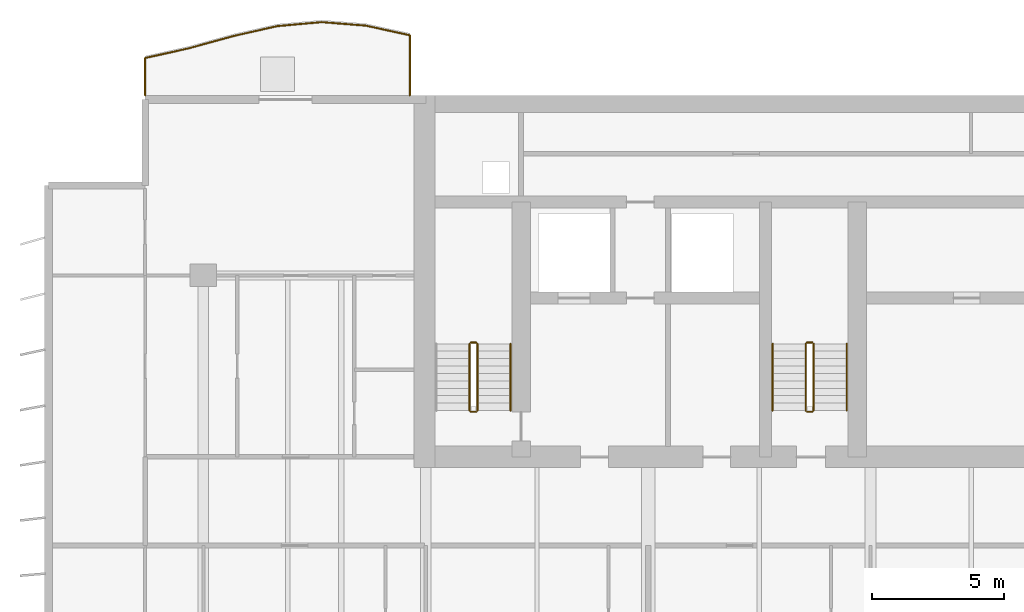
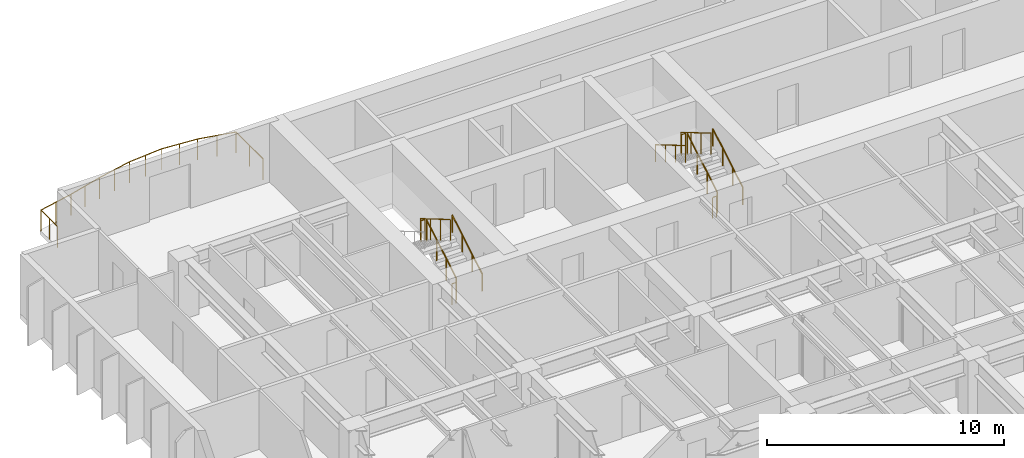
# One storey, part 17 of 19: 12 railings.
"""IFC4 building model written with IfcOpenShell, lengths in metres."""

import ifcopenshell
import ifcopenshell.guid

model = None  # the IFC model being written
_history = None  # IfcOwnerHistory: only IFC2X3 demands one
_inside = {}  # id of a spatial element -> (the spatial element, [elements in it])
_under = {}  # id of a project, library or spatial element -> (it, [spatial elements below it])
_declared = {}  # id of a project -> (the project, [libraries it declares])
_typed = {}  # id of a type object -> (the type object, [elements of that type])
_made_of = {}  # id of a material, layer set ... -> (it, [elements and type objects made of it])


def new_model(schema):
    """Start an empty IFC model of exactly this schema.

    Asked for "IFC4X3", IfcOpenShell would pick the latest addendum, in which some entities
    have other attributes; the version numbers below select the first issue.
    IFC2X3 requires an IfcOwnerHistory on every rooted entity: one is made here for all.
    """
    global model, _history
    if schema == "IFC4X3":
        model = ifcopenshell.file(schema_version=(4, 3, 0, 0))
    else:
        model = ifcopenshell.file(schema=schema)
    _inside.clear()
    _under.clear()
    _declared.clear()
    _typed.clear()
    _made_of.clear()
    _history = None
    if model.schema == "IFC2X3":
        org = make("IfcOrganization", Name="unknown")
        user = make(
            "IfcPersonAndOrganization",
            ThePerson=make("IfcPerson", FamilyName="unknown"),
            TheOrganization=org,
        )
        app = make(
            "IfcApplication",
            ApplicationDeveloper=org,
            Version="unknown",
            ApplicationFullName="unknown",
            ApplicationIdentifier="unknown",
        )
        _history = make(
            "IfcOwnerHistory",
            OwningUser=user,
            OwningApplication=app,
            ChangeAction="ADDED",
            CreationDate=0,
        )
    return model


def make(cls, **values):
    """One entity of the class cls with the attributes given. An attribute that is None is left unset."""
    return model.create_entity(
        cls, **{name: value for name, value in values.items() if value is not None}
    )


def rooted(cls, **values):
    """An entity with a GlobalId (a new one), such as an element, a storey or a relation."""
    return make(cls, GlobalId=ifcopenshell.guid.new(), OwnerHistory=_history, **values)


def si_unit(unit_type, name, prefix=None):
    """IfcSIUnit, for example si_unit("LENGTHUNIT", "METRE", prefix="MILLI")."""
    return make("IfcSIUnit", UnitType=unit_type, Prefix=prefix, Name=name)


def assignment(units):
    """IfcUnitAssignment: the units of a project."""
    return None if units is None else make("IfcUnitAssignment", Units=units)


def point(xyz):
    """IfcCartesianPoint."""
    return None if xyz is None else make("IfcCartesianPoint", Coordinates=xyz)


def direction(xyz):
    """IfcDirection."""
    return None if xyz is None else make("IfcDirection", DirectionRatios=xyz)


def frame(location, z_axis=None, x_axis=None):
    """IfcAxis2Placement3D, a coordinate frame: its origin and axes. An axis left out is left unset."""
    return make(
        "IfcAxis2Placement3D",
        Location=point(location),
        Axis=direction(z_axis),
        RefDirection=direction(x_axis),
    )


def frame_2d(location, x_axis=None):
    """IfcAxis2Placement2D, a coordinate frame in the plane: its origin and x axis."""
    return make(
        "IfcAxis2Placement2D", Location=point(location), RefDirection=direction(x_axis)
    )


def origin():
    """The frame at (0, 0, 0) with its axes left unset."""
    return frame((0.0, 0.0, 0.0))


def origin_2d():
    """The frame at (0, 0) in the plane with its x axis left unset."""
    return frame_2d((0.0, 0.0))


def place(relative_to, where):
    """IfcLocalPlacement: puts the frame where relative to a parent placement (None: the world)."""
    return make(
        "IfcLocalPlacement", PlacementRelTo=relative_to, RelativePlacement=where
    )


def context(
    kind, dimensions, precision=None, world=None, true_north=None, identifier=None
):
    """IfcGeometricRepresentationContext, for example the 3D "Model" context."""
    return make(
        "IfcGeometricRepresentationContext",
        ContextIdentifier=identifier,
        ContextType=kind,
        CoordinateSpaceDimension=dimensions,
        Precision=precision,
        WorldCoordinateSystem=world,
        TrueNorth=true_north,
    )


def subcontext(parent, identifier, kind, view, scale=None):
    """IfcGeometricRepresentationSubContext, for example "Body" below "Model"."""
    return make(
        "IfcGeometricRepresentationSubContext",
        ContextIdentifier=identifier,
        ContextType=kind,
        ParentContext=parent,
        TargetScale=scale,
        TargetView=view,
    )


def project(units=None, contexts=None):
    """IfcProject with its units and contexts."""
    return rooted(
        "IfcProject",
        Name="project",
        RepresentationContexts=contexts,
        UnitsInContext=assignment(units),
    )


def spatial(cls, under=None, at=None, **own):
    """A site, building, storey or space (cls), placed at a placement, below another one or the project."""
    s = rooted(cls, ObjectPlacement=at, **own)
    if under is not None:
        _under.setdefault(under.id(), (under, []))[1].append(s)
    return s


def profile(cls, at=None, kind="AREA", **sizes):
    """A parametric profile (cls). Its sizes go by their IFC names, for example OverallWidth=200.0."""
    return make(cls, ProfileType=kind, Position=at, **sizes)


def circle(**sizes):
    """IfcCircleProfileDef."""
    return profile("IfcCircleProfileDef", **sizes)


def extrude(swept, where, along, depth):
    """IfcExtrudedAreaSolid: the profile swept, set in the frame where, extruded along a direction by depth."""
    return make(
        "IfcExtrudedAreaSolid",
        SweptArea=swept,
        Position=where,
        ExtrudedDirection=direction(along),
        Depth=depth,
    )


def shape(context_of_items, identifier, shape_type, items):
    """IfcShapeRepresentation: the items that make up one representation, for example the "Body"."""
    return make(
        "IfcShapeRepresentation",
        ContextOfItems=context_of_items,
        RepresentationIdentifier=identifier,
        RepresentationType=shape_type,
        Items=items,
    )


def material(Name=None, Category=None):
    """IfcMaterial."""
    return make("IfcMaterial", Name=Name, Category=Category)


def made_of(thing, what):
    """Note that an element or type object is made of a material, layer set ...; save() writes the relation."""
    if what is not None:
        _made_of.setdefault(what.id(), (what, []))[1].append(thing)
    return thing


def type_object(cls, material=None, **own):
    """A type object (cls), such as IfcWallType, which elements share."""
    return made_of(rooted(cls, **own), material)


def element(
    cls,
    number,
    at=None,
    inside=None,
    cuts=None,
    type_object=None,
    material=None,
    context=None,
    identifier="Body",
    shape_type=None,
    held_by="IfcProductDefinitionShape",
    body=None,
    shapes=None,
    **own,
):
    """One element of the class cls, such as IfcWall. Its Tag is "e" and its number.

    at: its placement. inside: the storey or other place that contains it. cuts: it is an
    opening in that element (IfcRelVoidsElement). A single representation is given by context,
    identifier, shape_type and body (its items); several are given by shapes. held_by: the class
    of the entity that holds the representations. save() writes the other relations.
    """
    e = rooted(cls, Tag="e%d" % number, ObjectPlacement=at, **own)
    if body is not None:
        shapes = [shape(context, identifier, shape_type, body)]
    if shapes is not None:
        e.Representation = make(held_by, Representations=shapes)
    if inside is not None:
        _inside.setdefault(inside.id(), (inside, []))[1].append(e)
    if cuts is not None:
        rooted(
            "IfcRelVoidsElement", RelatingBuildingElement=cuts, RelatedOpeningElement=e
        )
    if type_object is not None:
        _typed.setdefault(type_object.id(), (type_object, []))[1].append(e)
    return made_of(e, material)


def aggregate(whole, parts):
    """IfcRelAggregates: a whole, such as a stair, and the parts it consists of."""
    return rooted("IfcRelAggregates", RelatingObject=whole, RelatedObjects=parts)


def save(model, path):
    """Write the relations noted so far, then the file.

    IfcRelAggregates (storeys below a building ...), IfcRelContainedInSpatialStructure (elements
    in a storey), IfcRelDefinesByType, IfcRelAssociatesMaterial and IfcRelDeclares: one each for
    every whole, place, type object, material and project.
    """
    for whole, parts in _under.values():
        aggregate(whole, parts)
    for where, things in _inside.values():
        rooted(
            "IfcRelContainedInSpatialStructure",
            RelatedElements=things,
            RelatingStructure=where,
        )
    for kind, things in _typed.values():
        rooted("IfcRelDefinesByType", RelatedObjects=things, RelatingType=kind)
    for what, things in _made_of.values():
        rooted("IfcRelAssociatesMaterial", RelatedObjects=things, RelatingMaterial=what)
    for by, libraries in _declared.values():
        rooted("IfcRelDeclares", RelatingContext=by, RelatedDefinitions=libraries)
    model.write(path)


model = new_model("IFC4")

# Units and contexts
model_context = context("Model", 3, precision=1e-05, world=origin(), true_north=direction((0.0, 1.0)))
body_context = subcontext(model_context, "Body", "Model", "MODEL_VIEW")
ifc_project = project(units=[si_unit("LENGTHUNIT", "METRE"), si_unit("AREAUNIT", "SQUARE_METRE"), si_unit("VOLUMEUNIT", "CUBIC_METRE"), si_unit("PLANEANGLEUNIT", "RADIAN"), si_unit("MASSUNIT", "GRAM", prefix="KILO")], contexts=[model_context])

# Site, building, storey
site_placement = place(None, origin())
site = spatial("IfcSite", under=ifc_project, at=site_placement, CompositionType="ELEMENT")
building_placement = place(site_placement, origin())
building = spatial("IfcBuilding", under=site, at=building_placement, Name="Caelmar Bay Residences", CompositionType="ELEMENT")
storey_placement = place(building_placement, frame((0.0, 0.0, 115.800048828125)))
storey = spatial("IfcBuildingStorey", under=building, at=storey_placement, Name="L31", CompositionType="ELEMENT", Elevation=115.800048828125)

# Railings
ifc_material_1 = material(Name="Anodised bronze handrail with laminated hurricane glass infill", Category="glass")
railing_type_1 = type_object("IfcRailingType", Name="RL-BAL-1100", PredefinedType="BALUSTRADE", material=ifc_material_1)
railing_1_placement = place(storey_placement, frame((17.699951171875, 50.60009765625, 0.0)))
element("IfcRailing", 1, at=railing_1_placement, inside=storey, type_object=railing_type_1, Name="L31 north_west Balcony Balustrade", PredefinedType="BALUSTRADE", context=body_context, shape_type="SweptSolid", body=[
    extrude(circle(Radius=0.02392578125, at=origin_2d()), frame((0.0, 0.0, 1.076171875), z_axis=(0.0, 1.0, 0.0), x_axis=(-1.0, 0.0, 0.0)), (0.0, 0.0, 1.0), 2.27294921875),
    extrude(circle(Radius=0.02392578125, at=origin_2d()), frame((0.0, 2.27294921875, 1.076171875), z_axis=(-0.976912151589, 0.213641400663, 0.0), x_axis=(-0.213641400663, -0.976912151589, 0.0)), (0.0, 0.0, 1.0), 1.7060546875),
    extrude(circle(Radius=0.02392578125, at=origin_2d()), frame((-1.666748046875, 2.637451171875, 1.076171875), z_axis=(-0.996862466726, 0.079153158067, 0.0), x_axis=(-0.079153158067, -0.996862466726, 0.0)), (0.0, 0.0, 1.0), 1.671630859375),
    extrude(circle(Radius=0.02392578125, at=origin_2d()), frame((-3.333251953125, 2.769775390625, 1.076171875), z_axis=(-0.99599304256, -0.089430750709, 0.0), x_axis=(0.089430750709, -0.99599304256, 0.0)), (0.0, 0.0, 1.0), 1.67333984375),
    extrude(circle(Radius=0.02392578125, at=origin_2d()), frame((-5.0, 2.6201171875, 1.076171875), z_axis=(-0.975520165928, -0.219909994926, 0.0), x_axis=(0.219909994926, -0.975520165928, 0.0)), (0.0, 0.0, 1.0), 1.70849609375),
    extrude(circle(Radius=0.02392578125, at=origin_2d()), frame((-6.666748046875, 2.244384765625, 1.076171875), z_axis=(-0.963993866583, -0.265924472718, 0.0), x_axis=(0.265924472718, -0.963993866583, 0.0)), (0.0, 0.0, 1.0), 1.728759765625),
    extrude(circle(Radius=0.02392578125, at=origin_2d()), frame((-8.333251953125, 1.78466796875, 1.076171875), z_axis=(-0.976038819589, -0.21759646747, 0.0), x_axis=(0.21759646747, -0.976038819589, 0.0)), (0.0, 0.0, 1.0), 1.707763671875),
    extrude(circle(Radius=0.02392578125, at=origin_2d()), frame((-10.0, 1.4130859375, 1.076171875), z_axis=(0.0, -1.0, 0.0), x_axis=(1.0, 0.0, 0.0)), (0.0, 0.0, 1.0), 1.4130859375),
    extrude(circle(Radius=0.02099609375, at=origin_2d()), origin(), (0.0, 0.0, 1.0), 1.052001953125),
    extrude(circle(Radius=0.02099609375, at=origin_2d()), frame((0.0, 1.136474609375, 0.0)), (0.0, 0.0, 1.0), 1.052001953125),
    extrude(circle(Radius=0.02099609375, at=origin_2d()), frame((0.0, 2.27294921875, 0.0)), (0.0, 0.0, 1.0), 1.052001953125),
    extrude(circle(Radius=0.02099609375, at=origin_2d()), frame((-0.83349609375, 2.455078125, 0.0)), (0.0, 0.0, 1.0), 1.052001953125),
    extrude(circle(Radius=0.02099609375, at=origin_2d()), frame((-1.666748046875, 2.637451171875, 0.0)), (0.0, 0.0, 1.0), 1.052001953125),
    extrude(circle(Radius=0.02099609375, at=origin_2d()), frame((-2.5, 2.70361328125, 0.0)), (0.0, 0.0, 1.0), 1.052001953125),
    extrude(circle(Radius=0.02099609375, at=origin_2d()), frame((-3.333251953125, 2.769775390625, 0.0)), (0.0, 0.0, 1.0), 1.052001953125),
    extrude(circle(Radius=0.02099609375, at=origin_2d()), frame((-4.16650390625, 2.69482421875, 0.0)), (0.0, 0.0, 1.0), 1.052001953125),
    extrude(circle(Radius=0.02099609375, at=origin_2d()), frame((-5.0, 2.6201171875, 0.0)), (0.0, 0.0, 1.0), 1.052001953125),
    extrude(circle(Radius=0.02099609375, at=origin_2d()), frame((-5.83349609375, 2.43212890625, 0.0)), (0.0, 0.0, 1.0), 1.052001953125),
    extrude(circle(Radius=0.02099609375, at=origin_2d()), frame((-6.666748046875, 2.244384765625, 0.0)), (0.0, 0.0, 1.0), 1.052001953125),
    extrude(circle(Radius=0.02099609375, at=origin_2d()), frame((-7.5, 2.0146484375, 0.0)), (0.0, 0.0, 1.0), 1.052001953125),
    extrude(circle(Radius=0.02099609375, at=origin_2d()), frame((-8.333251953125, 1.78466796875, 0.0)), (0.0, 0.0, 1.0), 1.052001953125),
    extrude(circle(Radius=0.02099609375, at=origin_2d()), frame((-9.16650390625, 1.598876953125, 0.0)), (0.0, 0.0, 1.0), 1.052001953125),
    extrude(circle(Radius=0.02099609375, at=origin_2d()), frame((-10.0, 1.4130859375, 0.0)), (0.0, 0.0, 1.0), 1.052001953125),
    extrude(circle(Radius=0.02099609375, at=origin_2d()), frame((-10.0, 0.70654296875, 0.0)), (0.0, 0.0, 1.0), 1.052001953125),
    extrude(circle(Radius=0.02099609375, at=origin_2d()), frame((-10.0, 0.0, 0.0)), (0.0, 0.0, 1.0), 1.052001953125),
])
ifc_material_2 = material(Name="Painted galvanized steel stair guard 1100 mm", Category="steel")
railing_type_2 = type_object("IfcRailingType", Name="RL-GRD-1100", PredefinedType="GUARDRAIL", material=ifc_material_2)
railing_2_placement = place(storey_placement, frame((20.25, 38.699951171875, 0.1650390625)))
element("IfcRailing", 2, at=railing_2_placement, inside=storey, type_object=railing_type_2, Name="L31 ST1 stair guard 1", PredefinedType="GUARDRAIL", context=body_context, shape_type="SweptSolid", body=[
    extrude(circle(Radius=0.02392578125, at=origin_2d()), frame((0.0, 0.0, 1.076171875), z_axis=(0.0, 0.861560626758, 0.507654692109), x_axis=(-1.0, 0.0, 0.0)), (0.0, 0.0, 1.0), 2.925048828125),
    extrude(circle(Radius=0.02099609375, at=origin_2d()), origin(), (0.0, 0.0, 1.0), 1.052001953125),
    extrude(circle(Radius=0.02099609375, at=origin_2d()), frame((0.0, 0.840087890625, 0.494873046875)), (0.0, 0.0, 1.0), 1.052001953125),
    extrude(circle(Radius=0.02099609375, at=origin_2d()), frame((0.0, 1.679931640625, 0.989990234375)), (0.0, 0.0, 1.0), 1.052001953125),
    extrude(circle(Radius=0.02099609375, at=origin_2d()), frame((0.0, 2.52001953125, 1.48486328125)), (0.0, 0.0, 1.0), 1.052001953125),
])
railing_3_placement = place(storey_placement, frame((20.199951171875, 41.27001953125, 1.64990234375)))
element("IfcRailing", 3, at=railing_3_placement, inside=storey, type_object=railing_type_2, Name="L31 ST1 stair guard 2", PredefinedType="GUARDRAIL", context=body_context, shape_type="SweptSolid", body=[
    extrude(circle(Radius=0.02392578125, at=origin_2d()), frame((0.0, 0.0, 1.076171875), z_axis=(-1.0, 0.0, 0.0), x_axis=(0.0, -1.0, 0.0)), (0.0, 0.0, 1.0), 0.199951171875),
    extrude(circle(Radius=0.02099609375, at=origin_2d()), origin(), (0.0, 0.0, 1.0), 1.052001953125),
    extrude(circle(Radius=0.02099609375, at=origin_2d()), frame((-0.199951171875, 0.0, 0.0)), (0.0, 0.0, 1.0), 1.052001953125),
])
railing_4_placement = place(storey_placement, frame((19.949951171875, 41.219970703125, 1.81494140625)))
element("IfcRailing", 4, at=railing_4_placement, inside=storey, type_object=railing_type_2, Name="L31 ST1 stair guard 3", PredefinedType="GUARDRAIL", context=body_context, shape_type="SweptSolid", body=[
    extrude(circle(Radius=0.02392578125, at=origin_2d()), frame((0.0, 0.0, 1.076171875), z_axis=(0.0, -0.86152411907, 0.507716645641), x_axis=(1.0, 0.0, 0.0)), (0.0, 0.0, 1.0), 2.925048828125),
    extrude(circle(Radius=0.02099609375, at=origin_2d()), origin(), (0.0, 0.0, 1.0), 1.052001953125),
    extrude(circle(Radius=0.02099609375, at=origin_2d()), frame((0.0, -0.840087890625, 0.4951171875)), (0.0, 0.0, 1.0), 1.052001953125),
    extrude(circle(Radius=0.02099609375, at=origin_2d()), frame((0.0, -1.679931640625, 0.989990234375)), (0.0, 0.0, 1.0), 1.052001953125),
    extrude(circle(Radius=0.02099609375, at=origin_2d()), frame((0.0, -2.52001953125, 1.485107421875)), (0.0, 0.0, 1.0), 1.052001953125),
])
railing_5_placement = place(storey_placement, frame((20.199951171875, 38.64990234375, 0.0)))
element("IfcRailing", 5, at=railing_5_placement, inside=storey, type_object=railing_type_2, Name="L31 ST1 stair guard 4", PredefinedType="GUARDRAIL", context=body_context, shape_type="SweptSolid", body=[
    extrude(circle(Radius=0.02392578125, at=origin_2d()), frame((0.0, 0.0, 1.076171875), z_axis=(-1.0, 0.0, 0.0), x_axis=(0.0, -1.0, 0.0)), (0.0, 0.0, 1.0), 0.199951171875),
    extrude(circle(Radius=0.02099609375, at=origin_2d()), origin(), (0.0, 0.0, 1.0), 1.052001953125),
    extrude(circle(Radius=0.02099609375, at=origin_2d()), frame((-0.199951171875, 0.0, 0.0)), (0.0, 0.0, 1.0), 1.052001953125),
])
railing_6_placement = place(storey_placement, frame((32.949951171875, 38.699951171875, 0.1650390625)))
element("IfcRailing", 6, at=railing_6_placement, inside=storey, type_object=railing_type_2, Name="L31 ST3 stair guard 1", PredefinedType="GUARDRAIL", context=body_context, shape_type="SweptSolid", body=[
    extrude(circle(Radius=0.02392578125, at=origin_2d()), frame((0.0, 0.0, 1.076171875), z_axis=(0.0, 0.861560626758, 0.507654692109), x_axis=(-1.0, 0.0, 0.0)), (0.0, 0.0, 1.0), 2.925048828125),
    extrude(circle(Radius=0.02099609375, at=origin_2d()), origin(), (0.0, 0.0, 1.0), 1.052001953125),
    extrude(circle(Radius=0.02099609375, at=origin_2d()), frame((0.0, 0.840087890625, 0.494873046875)), (0.0, 0.0, 1.0), 1.052001953125),
    extrude(circle(Radius=0.02099609375, at=origin_2d()), frame((0.0, 1.679931640625, 0.989990234375)), (0.0, 0.0, 1.0), 1.052001953125),
    extrude(circle(Radius=0.02099609375, at=origin_2d()), frame((0.0, 2.52001953125, 1.48486328125)), (0.0, 0.0, 1.0), 1.052001953125),
])
railing_7_placement = place(storey_placement, frame((32.89990234375, 41.27001953125, 1.64990234375)))
element("IfcRailing", 7, at=railing_7_placement, inside=storey, type_object=railing_type_2, Name="L31 ST3 stair guard 2", PredefinedType="GUARDRAIL", context=body_context, shape_type="SweptSolid", body=[
    extrude(circle(Radius=0.02392578125, at=origin_2d()), frame((0.0, 0.0, 1.076171875), z_axis=(-1.0, 0.0, 0.0), x_axis=(0.0, -1.0, 0.0)), (0.0, 0.0, 1.0), 0.199951171875),
    extrude(circle(Radius=0.02099609375, at=origin_2d()), origin(), (0.0, 0.0, 1.0), 1.052001953125),
    extrude(circle(Radius=0.02099609375, at=origin_2d()), frame((-0.199951171875, 0.0, 0.0)), (0.0, 0.0, 1.0), 1.052001953125),
])
railing_8_placement = place(storey_placement, frame((32.64990234375, 41.219970703125, 1.81494140625)))
element("IfcRailing", 8, at=railing_8_placement, inside=storey, type_object=railing_type_2, Name="L31 ST3 stair guard 3", PredefinedType="GUARDRAIL", context=body_context, shape_type="SweptSolid", body=[
    extrude(circle(Radius=0.02392578125, at=origin_2d()), frame((0.0, 0.0, 1.076171875), z_axis=(0.0, -0.86152411907, 0.507716645641), x_axis=(1.0, 0.0, 0.0)), (0.0, 0.0, 1.0), 2.925048828125),
    extrude(circle(Radius=0.02099609375, at=origin_2d()), origin(), (0.0, 0.0, 1.0), 1.052001953125),
    extrude(circle(Radius=0.02099609375, at=origin_2d()), frame((0.0, -0.840087890625, 0.4951171875)), (0.0, 0.0, 1.0), 1.052001953125),
    extrude(circle(Radius=0.02099609375, at=origin_2d()), frame((0.0, -1.679931640625, 0.989990234375)), (0.0, 0.0, 1.0), 1.052001953125),
    extrude(circle(Radius=0.02099609375, at=origin_2d()), frame((0.0, -2.52001953125, 1.485107421875)), (0.0, 0.0, 1.0), 1.052001953125),
])
railing_9_placement = place(storey_placement, frame((32.89990234375, 38.64990234375, 0.0)))
element("IfcRailing", 9, at=railing_9_placement, inside=storey, type_object=railing_type_2, Name="L31 ST3 stair guard 4", PredefinedType="GUARDRAIL", context=body_context, shape_type="SweptSolid", body=[
    extrude(circle(Radius=0.02392578125, at=origin_2d()), frame((0.0, 0.0, 1.076171875), z_axis=(-1.0, 0.0, 0.0), x_axis=(0.0, -1.0, 0.0)), (0.0, 0.0, 1.0), 0.199951171875),
    extrude(circle(Radius=0.02099609375, at=origin_2d()), origin(), (0.0, 0.0, 1.0), 1.052001953125),
    extrude(circle(Radius=0.02099609375, at=origin_2d()), frame((-0.199951171875, 0.0, 0.0)), (0.0, 0.0, 1.0), 1.052001953125),
])
ifc_material_3 = material(Name="Brushed bronze stainless-steel tubular handrail 900 mm", Category="steel")
railing_type_3 = type_object("IfcRailingType", Name="RL-HND-900", PredefinedType="HANDRAIL", material=ifc_material_3)
for number, where, name in (
    (10, (21.5, 38.699951171875, 0.1650390625), "L31 ST1 stair handrail 1"),
    (11, (34.199951171875, 38.699951171875, 0.1650390625), "L31 ST3 stair handrail 1"),
):
    element("IfcRailing", number, at=place(storey_placement, frame(where)), inside=storey, type_object=railing_type_3, Name=name, PredefinedType="HANDRAIL", context=body_context, shape_type="SweptSolid", body=[
        extrude(circle(Radius=0.02392578125, at=origin_2d()), frame((0.0, 0.0, 0.8759765625), z_axis=(0.0, 0.861560626758, 0.507654692109), x_axis=(-1.0, 0.0, 0.0)), (0.0, 0.0, 1.0), 2.925048828125),
        extrude(circle(Radius=0.02099609375, at=origin_2d()), origin(), (0.0, 0.0, 1.0), 0.851806640625),
        extrude(circle(Radius=0.02099609375, at=origin_2d()), frame((0.0, 0.840087890625, 0.494873046875)), (0.0, 0.0, 1.0), 0.851806640625),
        extrude(circle(Radius=0.02099609375, at=origin_2d()), frame((0.0, 1.679931640625, 0.989990234375)), (0.0, 0.0, 1.0), 0.851806640625),
        extrude(circle(Radius=0.02099609375, at=origin_2d()), frame((0.0, 2.52001953125, 1.48486328125)), (0.0, 0.0, 1.0), 0.851806640625),
    ])
railing_10_placement = place(storey_placement, frame((31.39990234375, 41.219970703125, 1.81494140625)))
element("IfcRailing", 12, at=railing_10_placement, inside=storey, type_object=railing_type_3, Name="L31 ST3 stair handrail 2", PredefinedType="HANDRAIL", context=body_context, shape_type="SweptSolid", body=[
    extrude(circle(Radius=0.02392578125, at=origin_2d()), frame((0.0, 0.0, 0.8759765625), z_axis=(0.0, -0.86152411907, 0.507716645641), x_axis=(1.0, 0.0, 0.0)), (0.0, 0.0, 1.0), 2.925048828125),
    extrude(circle(Radius=0.02099609375, at=origin_2d()), origin(), (0.0, 0.0, 1.0), 0.851806640625),
    extrude(circle(Radius=0.02099609375, at=origin_2d()), frame((0.0, -0.840087890625, 0.4951171875)), (0.0, 0.0, 1.0), 0.851806640625),
    extrude(circle(Radius=0.02099609375, at=origin_2d()), frame((0.0, -1.679931640625, 0.989990234375)), (0.0, 0.0, 1.0), 0.851806640625),
    extrude(circle(Radius=0.02099609375, at=origin_2d()), frame((0.0, -2.52001953125, 1.485107421875)), (0.0, 0.0, 1.0), 0.851806640625),
])

save(model, "model.ifc")
